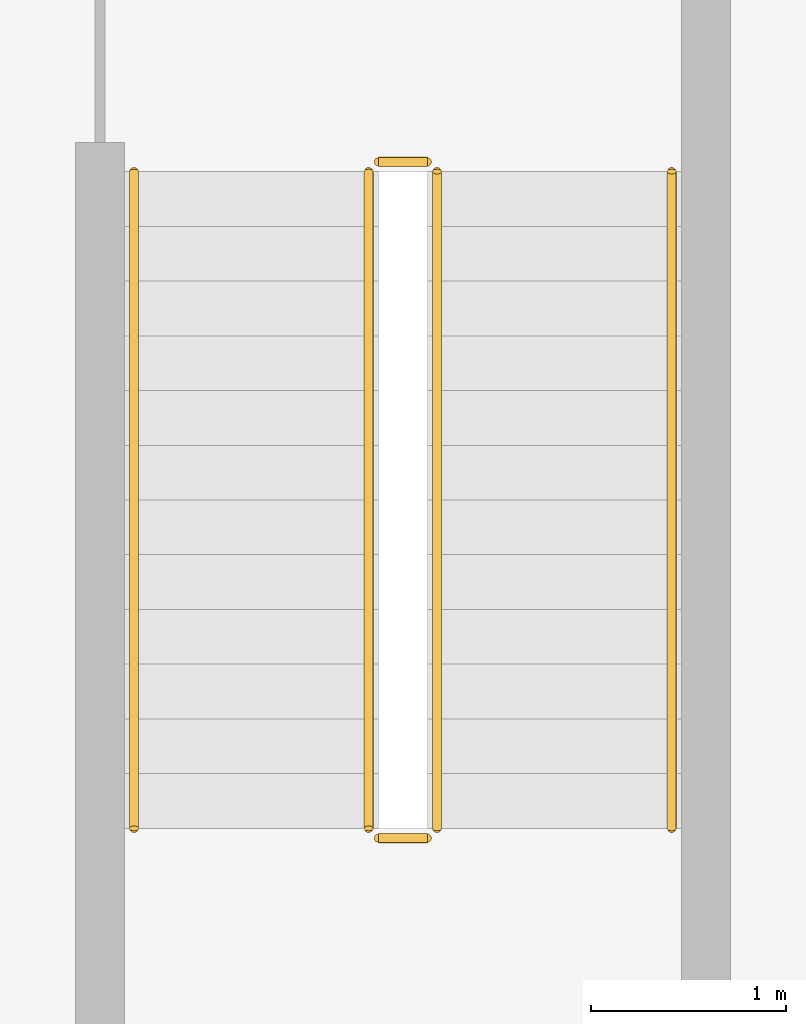
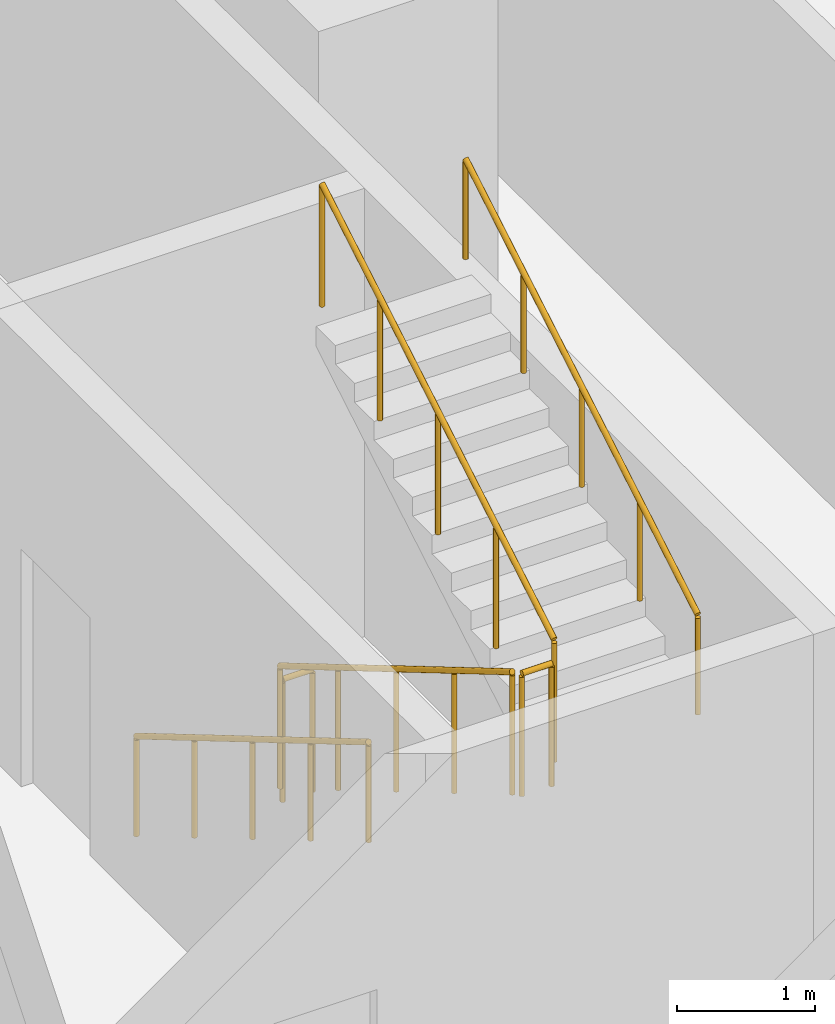
# One storey, part 25 of 29: 6 railings.
"""IFC4 building model written with IfcOpenShell, lengths in metres."""

from ifc_helpers import new_model, si_unit, direction, frame, origin, origin_2d, place, context, subcontext, project, spatial, circle, extrude, material, type_object, element, save


model = new_model("IFC4")

# Units and contexts
model_context = context("Model", 3, precision=1e-05, world=origin(), true_north=direction((0.0, 1.0)))
body_context = subcontext(model_context, "Body", "Model", "MODEL_VIEW")
ifc_project = project(units=[si_unit("LENGTHUNIT", "METRE"), si_unit("AREAUNIT", "SQUARE_METRE"), si_unit("VOLUMEUNIT", "CUBIC_METRE"), si_unit("PLANEANGLEUNIT", "RADIAN"), si_unit("MASSUNIT", "GRAM", prefix="KILO")], contexts=[model_context])

# Site, building, storey
site_placement = place(None, origin())
site = spatial("IfcSite", under=ifc_project, at=site_placement, CompositionType="ELEMENT")
building_placement = place(site_placement, origin())
building = spatial("IfcBuilding", under=site, at=building_placement, Name="Mahtab Terrace Research Tower", CompositionType="ELEMENT")
storey_placement = place(building_placement, frame((0.0, 0.0, 71.800048828125)))
storey = spatial("IfcBuildingStorey", under=building, at=storey_placement, Name="L16", CompositionType="ELEMENT", Elevation=71.800048828125)

# Railings
ifc_material = material(Name="Stainless steel AISI 304", Category="steel")
railing_type_1 = type_object("IfcRailingType", Name="Stair guard 1100", PredefinedType="GUARDRAIL", material=ifc_material)
railing_1_placement = place(storey_placement, frame((2.949951171875, -4.175048828125, 0.165283203125)))
element("IfcRailing", 1, at=railing_1_placement, inside=storey, type_object=railing_type_1, Name="L16 ST2 stair guard 1", PredefinedType="GUARDRAIL", context=body_context, shape_type="SweptSolid", body=[
    extrude(circle(Radius=0.02392578125, at=origin_2d()), frame((0.0, 0.0, 1.076171875), z_axis=(0.0, -0.861011212953, 0.508585972249), x_axis=(1.0, 0.0, 0.0)), (0.0, 0.0, 1.0), 3.90234375),
    extrude(circle(Radius=0.02099609375, at=origin_2d()), origin(), (0.0, 0.0, 1.0), 1.052001953125),
    extrude(circle(Radius=0.02099609375, at=origin_2d()), frame((0.0, -0.83984375, 0.49609375)), (0.0, 0.0, 1.0), 1.052001953125),
    extrude(circle(Radius=0.02099609375, at=origin_2d()), frame((0.0, -1.679931640625, 0.9921875)), (0.0, 0.0, 1.0), 1.052001953125),
    extrude(circle(Radius=0.02099609375, at=origin_2d()), frame((0.0, -2.52001953125, 1.488525390625)), (0.0, 0.0, 1.0), 1.052001953125),
    extrude(circle(Radius=0.02099609375, at=origin_2d()), frame((0.0, -3.35986328125, 1.984619140625)), (0.0, 0.0, 1.0), 1.052001953125),
])
railing_2_placement = place(storey_placement, frame((3.0, -7.5849609375, 2.14990234375)))
element("IfcRailing", 2, at=railing_2_placement, inside=storey, type_object=railing_type_1, Name="L16 ST2 stair guard 2", PredefinedType="GUARDRAIL", context=body_context, shape_type="SweptSolid", body=[
    extrude(circle(Radius=0.02392578125, at=origin_2d()), frame((0.0, 0.0, 1.076171875), z_axis=(1.0, 0.0, 0.0), x_axis=(0.0, 1.0, 0.0)), (0.0, 0.0, 1.0), 0.25),
    extrude(circle(Radius=0.02099609375, at=origin_2d()), origin(), (0.0, 0.0, 1.0), 1.052001953125),
    extrude(circle(Radius=0.02099609375, at=origin_2d()), frame((0.25, 0.0, 0.0)), (0.0, 0.0, 1.0), 1.052001953125),
])
railing_3_placement = place(storey_placement, frame((3.300048828125, -7.534912109375, 2.3154296875)))
element("IfcRailing", 3, at=railing_3_placement, inside=storey, type_object=railing_type_1, Name="L16 ST2 stair guard 3", PredefinedType="GUARDRAIL", context=body_context, shape_type="SweptSolid", body=[
    extrude(circle(Radius=0.02392578125, at=origin_2d()), frame((0.0, 0.0, 1.076171875), z_axis=(0.0, 0.861011212953, 0.508585972249), x_axis=(-1.0, 0.0, 0.0)), (0.0, 0.0, 1.0), 3.90234375),
    extrude(circle(Radius=0.02099609375, at=origin_2d()), origin(), (0.0, 0.0, 1.0), 1.052001953125),
    extrude(circle(Radius=0.02099609375, at=origin_2d()), frame((0.0, 0.83984375, 0.49609375)), (0.0, 0.0, 1.0), 1.052001953125),
    extrude(circle(Radius=0.02099609375, at=origin_2d()), frame((0.0, 1.679931640625, 0.9921875)), (0.0, 0.0, 1.0), 1.052001953125),
    extrude(circle(Radius=0.02099609375, at=origin_2d()), frame((0.0, 2.52001953125, 1.488525390625)), (0.0, 0.0, 1.0), 1.052001953125),
    extrude(circle(Radius=0.02099609375, at=origin_2d()), frame((0.0, 3.35986328125, 1.984619140625)), (0.0, 0.0, 1.0), 1.052001953125),
])
railing_4_placement = place(storey_placement, frame((3.0, -4.125, 0.0)))
element("IfcRailing", 4, at=railing_4_placement, inside=storey, type_object=railing_type_1, Name="L16 ST2 stair guard 4", PredefinedType="GUARDRAIL", context=body_context, shape_type="SweptSolid", body=[
    extrude(circle(Radius=0.02392578125, at=origin_2d()), frame((0.0, 0.0, 1.076171875), z_axis=(1.0, 0.0, 0.0), x_axis=(0.0, 1.0, 0.0)), (0.0, 0.0, 1.0), 0.25),
    extrude(circle(Radius=0.02099609375, at=origin_2d()), origin(), (0.0, 0.0, 1.0), 1.052001953125),
    extrude(circle(Radius=0.02099609375, at=origin_2d()), frame((0.25, 0.0, 0.0)), (0.0, 0.0, 1.0), 1.052001953125),
])
railing_type_2 = type_object("IfcRailingType", Name="Stair handrail 900", PredefinedType="HANDRAIL", material=ifc_material)
railing_5_placement = place(storey_placement, frame((1.75, -4.175048828125, 0.165283203125)))
element("IfcRailing", 5, at=railing_5_placement, inside=storey, type_object=railing_type_2, Name="L16 ST2 stair handrail 1", PredefinedType="HANDRAIL", context=body_context, shape_type="SweptSolid", body=[
    extrude(circle(Radius=0.02392578125, at=origin_2d()), frame((0.0, 0.0, 0.8759765625), z_axis=(0.0, -0.861011212953, 0.508585972249), x_axis=(1.0, 0.0, 0.0)), (0.0, 0.0, 1.0), 3.90234375),
    extrude(circle(Radius=0.02099609375, at=origin_2d()), origin(), (0.0, 0.0, 1.0), 0.851806640625),
    extrude(circle(Radius=0.02099609375, at=origin_2d()), frame((0.0, -0.83984375, 0.49609375)), (0.0, 0.0, 1.0), 0.851806640625),
    extrude(circle(Radius=0.02099609375, at=origin_2d()), frame((0.0, -1.679931640625, 0.9921875)), (0.0, 0.0, 1.0), 0.851806640625),
    extrude(circle(Radius=0.02099609375, at=origin_2d()), frame((0.0, -2.52001953125, 1.488525390625)), (0.0, 0.0, 1.0), 0.851806640625),
    extrude(circle(Radius=0.02099609375, at=origin_2d()), frame((0.0, -3.35986328125, 1.984619140625)), (0.0, 0.0, 1.0), 0.851806640625),
])
railing_6_placement = place(storey_placement, frame((4.5, -7.534912109375, 2.3154296875)))
element("IfcRailing", 6, at=railing_6_placement, inside=storey, type_object=railing_type_2, Name="L16 ST2 stair handrail 2", PredefinedType="HANDRAIL", context=body_context, shape_type="SweptSolid", body=[
    extrude(circle(Radius=0.02392578125, at=origin_2d()), frame((0.0, 0.0, 0.8759765625), z_axis=(0.0, 0.861011212953, 0.508585972249), x_axis=(-1.0, 0.0, 0.0)), (0.0, 0.0, 1.0), 3.90234375),
    extrude(circle(Radius=0.02099609375, at=origin_2d()), origin(), (0.0, 0.0, 1.0), 0.851806640625),
    extrude(circle(Radius=0.02099609375, at=origin_2d()), frame((0.0, 0.83984375, 0.49609375)), (0.0, 0.0, 1.0), 0.851806640625),
    extrude(circle(Radius=0.02099609375, at=origin_2d()), frame((0.0, 1.679931640625, 0.9921875)), (0.0, 0.0, 1.0), 0.851806640625),
    extrude(circle(Radius=0.02099609375, at=origin_2d()), frame((0.0, 2.52001953125, 1.488525390625)), (0.0, 0.0, 1.0), 0.851806640625),
    extrude(circle(Radius=0.02099609375, at=origin_2d()), frame((0.0, 3.35986328125, 1.984619140625)), (0.0, 0.0, 1.0), 0.851806640625),
])

save(model, "model.ifc")
